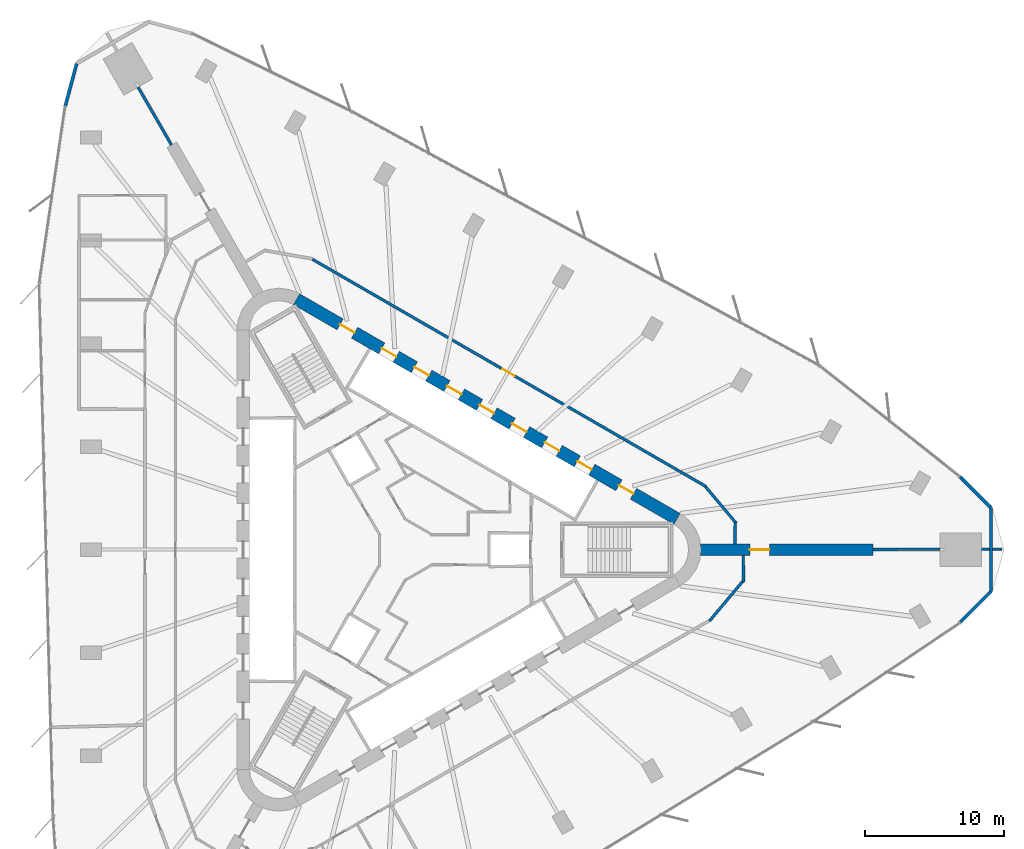
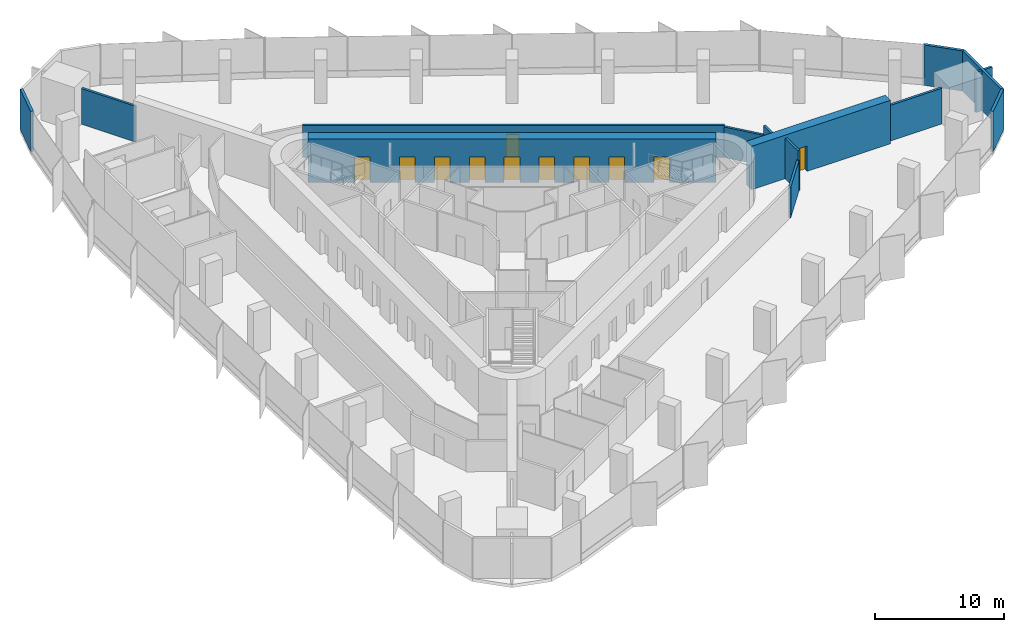
# One storey, part 12 of 14: 15 walls, 11 doors, 11 openings.
"""IFC4 building model written with IfcOpenShell, lengths in metres."""

from ifc_helpers import new_model, si_unit, direction, frame, frame_2d, origin, place, context, subcontext, project, spatial, rectangle, extrude, material, layer, layer_set, type_object, element, fill, save


model = new_model("IFC4")

# Units and contexts
model_context = context("Model", 3, precision=1e-05, world=origin(), true_north=direction((0.0, 1.0)))
body_context = subcontext(model_context, "Body", "Model", "MODEL_VIEW")
ifc_project = project(units=[si_unit("LENGTHUNIT", "METRE"), si_unit("AREAUNIT", "SQUARE_METRE"), si_unit("VOLUMEUNIT", "CUBIC_METRE"), si_unit("PLANEANGLEUNIT", "RADIAN"), si_unit("MASSUNIT", "GRAM", prefix="KILO")], contexts=[model_context])

# Site, building, storey
site_placement = place(None, origin())
site = spatial("IfcSite", under=ifc_project, at=site_placement, CompositionType="ELEMENT")
building_placement = place(site_placement, origin())
building = spatial("IfcBuilding", under=site, at=building_placement, Name="Tanit Gate Tower", CompositionType="ELEMENT")
storey_placement = place(building_placement, frame((0.0, 0.0, 143.89990234375)))
storey = spatial("IfcBuildingStorey", under=building, at=storey_placement, Name="L31", CompositionType="ELEMENT", Elevation=143.89990234375)

# Wall, opening, door
ifc_material_1 = material(Name="Concrete C60/75", Category="concrete")
ifc_layer_1 = layer(ifc_material_1, 0.800048828125)
ifc_layer_set_1 = layer_set([ifc_layer_1], Name="BUTTRESS FIN 800 C60/75")
wall_type_1 = type_object("IfcWallType", Name="BUTTRESS FIN 800 C60/75", PredefinedType="SHEAR", material=ifc_layer_set_1)
wall_1_placement = place(storey_placement, frame((21.14990234375, 0.0, 0.0), z_axis=(0.0, 0.0, 1.0), x_axis=(1.0, 0.0, 0.0)))
wall_1 = element("IfcWall", 1, at=wall_1_placement, inside=storey, type_object=wall_type_1, Name="BUTTRESS FIN", PredefinedType="SHEAR", context=body_context, shape_type="SweptSolid", body=[
    extrude(rectangle(XDim=12.3837890625, YDim=0.800048828125, at=frame_2d((6.19189453125, 0.0))), origin(), (0.0, 0.0, 1.0), 4.10009765625),
])
opening_1_placement = place(wall_1_placement, frame((3.550048828125, 0.0, 0.0)))
opening_1 = element("IfcOpeningElement", 2, at=opening_1_placement, cuts=wall_1, Name="Opening P14-S08-F-E-1", PredefinedType="OPENING", context=body_context, shape_type="SweptSolid", body=[
    extrude(rectangle(XDim=1.39990234375, YDim=2.39990234375, at=frame_2d((0.699951171875, 1.199951171875))), frame((0.0, 0.41015625, 0.0), z_axis=(0.0, -1.0, 0.0), x_axis=(1.0, 0.0, 0.0)), (0.0, 0.0, 1.0), 0.820068359375),
])
ifc_material_2 = material(Name="Timber door leaf", Category="wood")
door_type_1 = type_object("IfcDoorType", Name="INT-DOOR-FIN-PAIR-1400", OperationType="NOTDEFINED", PredefinedType="NOTDEFINED", material=ifc_material_2)
door_1_placement = place(opening_1_placement, origin())
door_1 = element("IfcDoor", 3, at=door_1_placement, inside=storey, type_object=door_type_1, Name="Door P14-S08-F-E-1", OperationType="DOUBLE_DOOR_SINGLE_SWING", OverallHeight=2.39990234375, OverallWidth=1.39990234375, PredefinedType="NOTDEFINED", context=body_context, shape_type="SweptSolid", body=[
    extrude(rectangle(XDim=1.39990234375, YDim=2.39990234375, at=frame_2d((0.699951171875, 1.199951171875))), frame((0.0, 0.02490234375, 0.0), z_axis=(0.0, -1.0, 0.0), x_axis=(1.0, 0.0, 0.0)), (0.0, 0.0, 1.0), 0.050048828125),
])
fill(opening_1, door_1)

# Wall, openings, doors
ifc_material_3 = material(Name="Concrete C60/75", Category="concrete")
ifc_layer_2 = layer(ifc_material_3, 0.89990234375)
ifc_layer_set_2 = layer_set([ifc_layer_2], Name="CORE WALL 900 C60/75")
wall_type_2 = type_object("IfcWallType", Name="CORE WALL 900 C60/75", PredefinedType="SHEAR", material=ifc_layer_set_2)
wall_2_placement = place(storey_placement, frame((19.47509765625, 2.20849609375, 0.0), z_axis=(0.0, 0.0, 1.0), x_axis=(-0.866028369851, 0.499994862586, 0.0)))
wall_2 = element("IfcWall", 4, at=wall_2_placement, inside=storey, type_object=wall_type_2, Name="CORE WALL", PredefinedType="SHEAR", context=body_context, shape_type="SweptSolid", body=[
    extrude(rectangle(XDim=31.523193359375, YDim=0.89990234375, at=frame_2d((15.76171875, 0.0))), origin(), (0.0, 0.0, 1.0), 4.10009765625),
])
opening_2_placement = place(wall_2_placement, frame((7.0615234375, 0.0, 0.0)))
opening_2 = element("IfcOpeningElement", 5, at=opening_2_placement, cuts=wall_2, Name="Opening LDLL8-S08", PredefinedType="OPENING", context=body_context, shape_type="SweptSolid", body=[
    extrude(rectangle(XDim=1.199951171875, YDim=2.39990234375, at=frame_2d((0.60009765625, 1.199951171875))), frame((0.0, 0.4599609375, 0.0), z_axis=(0.0, -1.0, 0.0), x_axis=(1.0, 0.0, 0.0)), (0.0, 0.0, 1.0), 0.919921875),
])
opening_3_placement = place(wall_2_placement, frame((9.76171875, 0.0, 0.0)))
opening_3 = element("IfcOpeningElement", 6, at=opening_3_placement, cuts=wall_2, Name="Opening LDLL9-S08", PredefinedType="OPENING", context=body_context, shape_type="SweptSolid", body=[
    extrude(rectangle(XDim=1.199951171875, YDim=2.39990234375, at=frame_2d((0.60009765625, 1.199951171875))), frame((0.0, 0.4599609375, 0.0), z_axis=(0.0, -1.0, 0.0), x_axis=(1.0, 0.0, 0.0)), (0.0, 0.0, 1.0), 0.919921875),
])
opening_4_placement = place(wall_2_placement, frame((12.461669921875, 0.0, 0.0)))
opening_4 = element("IfcOpeningElement", 7, at=opening_4_placement, cuts=wall_2, Name="Opening LDLL10-S08", PredefinedType="OPENING", context=body_context, shape_type="SweptSolid", body=[
    extrude(rectangle(XDim=1.199951171875, YDim=2.39990234375, at=frame_2d((0.60009765625, 1.199951171875))), frame((0.0, 0.4599609375, 0.0), z_axis=(0.0, -1.0, 0.0), x_axis=(1.0, 0.0, 0.0)), (0.0, 0.0, 1.0), 0.919921875),
])
opening_5_placement = place(wall_2_placement, frame((15.16162109375, 0.0, 0.0)))
opening_5 = element("IfcOpeningElement", 8, at=opening_5_placement, cuts=wall_2, Name="Opening LDSL1-S08", PredefinedType="OPENING", context=body_context, shape_type="SweptSolid", body=[
    extrude(rectangle(XDim=1.199951171875, YDim=2.39990234375, at=frame_2d((0.60009765625, 1.199951171875))), frame((0.0, 0.4599609375, 0.0), z_axis=(0.0, -1.0, 0.0), x_axis=(1.0, 0.0, 0.0)), (0.0, 0.0, 1.0), 0.919921875),
])
opening_6_placement = place(wall_2_placement, frame((17.861572265625, 0.0, 0.0)))
opening_6 = element("IfcOpeningElement", 9, at=opening_6_placement, cuts=wall_2, Name="Opening LDSL2-S08", PredefinedType="OPENING", context=body_context, shape_type="SweptSolid", body=[
    extrude(rectangle(XDim=1.199951171875, YDim=2.39990234375, at=frame_2d((0.60009765625, 1.199951171875))), frame((0.0, 0.4599609375, 0.0), z_axis=(0.0, -1.0, 0.0), x_axis=(1.0, 0.0, 0.0)), (0.0, 0.0, 1.0), 0.919921875),
])
opening_7_placement = place(wall_2_placement, frame((20.5615234375, 0.0, 0.0)))
opening_7 = element("IfcOpeningElement", 10, at=opening_7_placement, cuts=wall_2, Name="Opening LDSL3-S08", PredefinedType="OPENING", context=body_context, shape_type="SweptSolid", body=[
    extrude(rectangle(XDim=1.199951171875, YDim=2.39990234375, at=frame_2d((0.60009765625, 1.199951171875))), frame((0.0, 0.4599609375, 0.0), z_axis=(0.0, -1.0, 0.0), x_axis=(1.0, 0.0, 0.0)), (0.0, 0.0, 1.0), 0.919921875),
])
opening_8_placement = place(wall_2_placement, frame((23.26171875, 0.0, 0.0)))
opening_8 = element("IfcOpeningElement", 11, at=opening_8_placement, cuts=wall_2, Name="Opening LDSL4-S08", PredefinedType="OPENING", context=body_context, shape_type="SweptSolid", body=[
    extrude(rectangle(XDim=1.199951171875, YDim=2.39990234375, at=frame_2d((0.60009765625, 1.199951171875))), frame((0.0, 0.4599609375, 0.0), z_axis=(0.0, -1.0, 0.0), x_axis=(1.0, 0.0, 0.0)), (0.0, 0.0, 1.0), 0.919921875),
])
opening_9_placement = place(wall_2_placement, frame((3.611572265625, 0.0, 0.0)))
opening_9 = element("IfcOpeningElement", 12, at=opening_9_placement, cuts=wall_2, Name="Opening F12-S08-FL1", PredefinedType="OPENING", context=body_context, shape_type="SweptSolid", body=[
    extrude(rectangle(XDim=1.199951171875, YDim=2.39990234375, at=frame_2d((0.60009765625, 1.199951171875))), frame((0.0, 0.4599609375, 0.0), z_axis=(0.0, -1.0, 0.0), x_axis=(1.0, 0.0, 0.0)), (0.0, 0.0, 1.0), 0.919921875),
])
opening_10_placement = place(wall_2_placement, frame((26.711669921875, 0.0, 0.0)))
opening_10 = element("IfcOpeningElement", 13, at=opening_10_placement, cuts=wall_2, Name="Opening F12-S08-S2", PredefinedType="OPENING", context=body_context, shape_type="SweptSolid", body=[
    extrude(rectangle(XDim=1.199951171875, YDim=2.39990234375, at=frame_2d((0.60009765625, 1.199951171875))), frame((0.0, 0.4599609375, 0.0), z_axis=(0.0, -1.0, 0.0), x_axis=(1.0, 0.0, 0.0)), (0.0, 0.0, 1.0), 0.919921875),
])
ifc_material_4 = material(Name="Fire-rated steel door leaf", Category="steel")
door_type_2 = type_object("IfcDoorType", Name="INT-DOOR-FIRE-LOBBY-1200", OperationType="NOTDEFINED", PredefinedType="USERDEFINED", material=ifc_material_4)
door_2_placement = place(opening_9_placement, origin())
door_2 = element("IfcDoor", 14, at=door_2_placement, inside=storey, type_object=door_type_2, Name="Door F12-S08-FL1", ObjectType="FIRE DOOR", OperationType="SINGLE_SWING_RIGHT", OverallHeight=2.39990234375, OverallWidth=1.199951171875, PredefinedType="USERDEFINED", context=body_context, shape_type="SweptSolid", body=[
    extrude(rectangle(XDim=1.199951171875, YDim=2.39990234375, at=frame_2d((0.60009765625, 1.199951171875))), frame((0.0, 0.02490234375, 0.0), z_axis=(0.0, -1.0, 0.0), x_axis=(1.0, 0.0, 0.0)), (0.0, 0.0, 1.0), 0.050048828125),
])
fill(opening_9, door_2)
door_3_placement = place(opening_10_placement, origin())
door_3 = element("IfcDoor", 15, at=door_3_placement, inside=storey, type_object=door_type_2, Name="Door F12-S08-S2", ObjectType="FIRE DOOR", OperationType="SINGLE_SWING_LEFT", OverallHeight=2.39990234375, OverallWidth=1.199951171875, PredefinedType="USERDEFINED", context=body_context, shape_type="SweptSolid", body=[
    extrude(rectangle(XDim=1.199951171875, YDim=2.39990234375, at=frame_2d((0.60009765625, 1.199951171875))), frame((0.0, 0.02490234375, 0.0), z_axis=(0.0, -1.0, 0.0), x_axis=(1.0, 0.0, 0.0)), (0.0, 0.0, 1.0), 0.050048828125),
])
fill(opening_10, door_3)
ifc_material_5 = material(Name="Stainless steel sliding door leaf", Category="steel")
door_type_3 = type_object("IfcDoorType", Name="INT-DOOR-LANDING-1200", OperationType="NOTDEFINED", PredefinedType="USERDEFINED", material=ifc_material_5)
door_4_placement = place(opening_2_placement, origin())
door_4 = element("IfcDoor", 16, at=door_4_placement, inside=storey, type_object=door_type_3, Name="Door LDLL8-S08", ObjectType="LANDING DOOR", OperationType="SLIDING_TO_LEFT", OverallHeight=2.39990234375, OverallWidth=1.199951171875, PredefinedType="USERDEFINED", context=body_context, shape_type="SweptSolid", body=[
    extrude(rectangle(XDim=1.199951171875, YDim=2.39990234375, at=frame_2d((0.60009765625, 1.199951171875))), frame((0.0, 0.02490234375, 0.0), z_axis=(0.0, -1.0, 0.0), x_axis=(1.0, 0.0, 0.0)), (0.0, 0.0, 1.0), 0.050048828125),
])
fill(opening_2, door_4)
door_5_placement = place(opening_3_placement, origin())
door_5 = element("IfcDoor", 17, at=door_5_placement, inside=storey, type_object=door_type_3, Name="Door LDLL9-S08", ObjectType="LANDING DOOR", OperationType="SLIDING_TO_LEFT", OverallHeight=2.39990234375, OverallWidth=1.199951171875, PredefinedType="USERDEFINED", context=body_context, shape_type="SweptSolid", body=[
    extrude(rectangle(XDim=1.199951171875, YDim=2.39990234375, at=frame_2d((0.60009765625, 1.199951171875))), frame((0.0, 0.02490234375, 0.0), z_axis=(0.0, -1.0, 0.0), x_axis=(1.0, 0.0, 0.0)), (0.0, 0.0, 1.0), 0.050048828125),
])
fill(opening_3, door_5)
door_6_placement = place(opening_4_placement, origin())
door_6 = element("IfcDoor", 18, at=door_6_placement, inside=storey, type_object=door_type_3, Name="Door LDLL10-S08", ObjectType="LANDING DOOR", OperationType="SLIDING_TO_LEFT", OverallHeight=2.39990234375, OverallWidth=1.199951171875, PredefinedType="USERDEFINED", context=body_context, shape_type="SweptSolid", body=[
    extrude(rectangle(XDim=1.199951171875, YDim=2.39990234375, at=frame_2d((0.60009765625, 1.199951171875))), frame((0.0, 0.02490234375, 0.0), z_axis=(0.0, -1.0, 0.0), x_axis=(1.0, 0.0, 0.0)), (0.0, 0.0, 1.0), 0.050048828125),
])
fill(opening_4, door_6)
door_7_placement = place(opening_5_placement, origin())
door_7 = element("IfcDoor", 19, at=door_7_placement, inside=storey, type_object=door_type_3, Name="Door LDSL1-S08", ObjectType="LANDING DOOR", OperationType="SLIDING_TO_LEFT", OverallHeight=2.39990234375, OverallWidth=1.199951171875, PredefinedType="USERDEFINED", context=body_context, shape_type="SweptSolid", body=[
    extrude(rectangle(XDim=1.199951171875, YDim=2.39990234375, at=frame_2d((0.60009765625, 1.199951171875))), frame((0.0, 0.02490234375, 0.0), z_axis=(0.0, -1.0, 0.0), x_axis=(1.0, 0.0, 0.0)), (0.0, 0.0, 1.0), 0.050048828125),
])
fill(opening_5, door_7)
door_8_placement = place(opening_6_placement, origin())
door_8 = element("IfcDoor", 20, at=door_8_placement, inside=storey, type_object=door_type_3, Name="Door LDSL2-S08", ObjectType="LANDING DOOR", OperationType="SLIDING_TO_LEFT", OverallHeight=2.39990234375, OverallWidth=1.199951171875, PredefinedType="USERDEFINED", context=body_context, shape_type="SweptSolid", body=[
    extrude(rectangle(XDim=1.199951171875, YDim=2.39990234375, at=frame_2d((0.60009765625, 1.199951171875))), frame((0.0, 0.02490234375, 0.0), z_axis=(0.0, -1.0, 0.0), x_axis=(1.0, 0.0, 0.0)), (0.0, 0.0, 1.0), 0.050048828125),
])
fill(opening_6, door_8)
door_9_placement = place(opening_7_placement, origin())
door_9 = element("IfcDoor", 21, at=door_9_placement, inside=storey, type_object=door_type_3, Name="Door LDSL3-S08", ObjectType="LANDING DOOR", OperationType="SLIDING_TO_LEFT", OverallHeight=2.39990234375, OverallWidth=1.199951171875, PredefinedType="USERDEFINED", context=body_context, shape_type="SweptSolid", body=[
    extrude(rectangle(XDim=1.199951171875, YDim=2.39990234375, at=frame_2d((0.60009765625, 1.199951171875))), frame((0.0, 0.02490234375, 0.0), z_axis=(0.0, -1.0, 0.0), x_axis=(1.0, 0.0, 0.0)), (0.0, 0.0, 1.0), 0.050048828125),
])
fill(opening_7, door_9)
door_10_placement = place(opening_8_placement, origin())
door_10 = element("IfcDoor", 22, at=door_10_placement, inside=storey, type_object=door_type_3, Name="Door LDSL4-S08", ObjectType="LANDING DOOR", OperationType="SLIDING_TO_LEFT", OverallHeight=2.39990234375, OverallWidth=1.199951171875, PredefinedType="USERDEFINED", context=body_context, shape_type="SweptSolid", body=[
    extrude(rectangle(XDim=1.199951171875, YDim=2.39990234375, at=frame_2d((0.60009765625, 1.199951171875))), frame((0.0, 0.02490234375, 0.0), z_axis=(0.0, -1.0, 0.0), x_axis=(1.0, 0.0, 0.0)), (0.0, 0.0, 1.0), 0.050048828125),
])
fill(opening_8, door_10)

# Walls
ifc_material_6 = material(Name="Concrete C30/37 with bronze anodised aluminium cladding", Category="concrete")
ifc_layer_3 = layer(ifc_material_6, 0.239990234375)
ifc_layer_set_3 = layer_set([ifc_layer_3], Name="Facade wall bronze clad 240")
wall_type_3 = type_object("IfcWallType", Name="Facade wall bronze clad 240", PredefinedType="SOLIDWALL", material=ifc_layer_set_3)
wall_3_placement = place(storey_placement, frame((-23.60302734375, 34.87109375, 0.0), z_axis=(0.0, 0.0, 1.0), x_axis=(-0.258820386593, -0.965925466837, 0.0)))
element("IfcWall", 23, at=wall_3_placement, inside=storey, type_object=wall_type_3, Name="Bronze-clad facade wall L31 NW.arc3", PredefinedType="SOLIDWALL", context=body_context, shape_type="SweptSolid", body=[
    extrude(rectangle(XDim=3.136474609375, YDim=0.239990234375, at=frame_2d((1.568359375, 0.0))), origin(), (0.0, 0.0, 1.0), 3.800048828125),
])
wall_4_placement = place(storey_placement, frame((39.7861328125, -5.2197265625, 0.0), z_axis=(0.0, 0.0, 1.0), x_axis=(0.707106781187, 0.707106781187, 0.0)))
element("IfcWall", 24, at=wall_4_placement, inside=storey, type_object=wall_type_3, Name="Bronze-clad facade wall L31 E.arc1", PredefinedType="SOLIDWALL", context=body_context, shape_type="SweptSolid", body=[
    extrude(rectangle(XDim=3.1318359375, YDim=0.239990234375, at=frame_2d((1.56591796875, 0.0))), origin(), (0.0, 0.0, 1.0), 3.800048828125),
])
wall_5_placement = place(storey_placement, frame((42.000732421875, -3.005126953125, 0.0), z_axis=(0.0, 0.0, 1.0), x_axis=(0.0, 1.0, 0.0)))
element("IfcWall", 25, at=wall_5_placement, inside=storey, type_object=wall_type_3, Name="Bronze-clad facade wall L31 E.arc2", PredefinedType="SOLIDWALL", context=body_context, shape_type="SweptSolid", body=[
    extrude(rectangle(XDim=6.01025390625, YDim=0.239990234375, at=frame_2d((3.005126953125, 0.0))), origin(), (0.0, 0.0, 1.0), 3.800048828125),
])
wall_6_placement = place(storey_placement, frame((42.000732421875, 3.005126953125, 0.0), z_axis=(0.0, 0.0, 1.0), x_axis=(-0.707067861805, 0.707145698426, 0.0)))
element("IfcWall", 26, at=wall_6_placement, inside=storey, type_object=wall_type_3, Name="Bronze-clad facade wall L31 E.arc3", PredefinedType="SOLIDWALL", context=body_context, shape_type="SweptSolid", body=[
    extrude(rectangle(XDim=3.136474609375, YDim=0.239990234375, at=frame_2d((1.568359375, 0.0))), origin(), (0.0, 0.0, 1.0), 3.800048828125),
])

# Wall, opening, door
ifc_material_7 = material(Name="Fire-rated gypsum board partition")
ifc_layer_4 = layer(ifc_material_7, 0.199951171875)
ifc_layer_set_4 = layer_set([ifc_layer_4], Name="INT-WALL-COMPARTMENT")
wall_type_4 = type_object("IfcWallType", Name="INT-WALL-COMPARTMENT", PredefinedType="PARTITIONING", material=ifc_layer_set_4)
wall_7_placement = place(storey_placement, frame((21.55224609375, 4.53076171875, 0.0), z_axis=(0.0, 0.0, 1.0), x_axis=(-0.866023703603, 0.500002944789, 0.0)))
wall_7 = element("IfcWall", 27, at=wall_7_placement, inside=storey, type_object=wall_type_4, Name="Wall Compartment W103", PredefinedType="PARTITIONING", context=body_context, shape_type="SweptSolid", body=[
    extrude(rectangle(XDim=32.598876953125, YDim=0.199951171875, at=frame_2d((16.29931640625, 0.0))), origin(), (0.0, 0.0, 1.0), 2.97998046875),
])
opening_11_placement = place(wall_7_placement, frame((15.849609375, 0.0, 0.0)))
opening_11 = element("IfcOpeningElement", 28, at=opening_11_placement, cuts=wall_7, Name="Opening F10-S08-27", PredefinedType="OPENING", context=body_context, shape_type="SweptSolid", body=[
    extrude(rectangle(XDim=1.0, YDim=2.10009765625, at=frame_2d((0.5, 1.050048828125))), frame((0.0, 0.10986328125, 0.0), z_axis=(0.0, -1.0, 0.0), x_axis=(1.0, 0.0, 0.0)), (0.0, 0.0, 1.0), 0.219970703125),
])
ifc_material_8 = material(Name="Fire-rated steel door leaf", Category="steel")
door_type_4 = type_object("IfcDoorType", Name="INT-DOOR-FIRE-1000", OperationType="NOTDEFINED", PredefinedType="USERDEFINED", material=ifc_material_8)
door_11_placement = place(opening_11_placement, origin())
door_11 = element("IfcDoor", 29, at=door_11_placement, inside=storey, type_object=door_type_4, Name="Door F10-S08-27", ObjectType="FIRE DOOR", OperationType="SINGLE_SWING_RIGHT", OverallHeight=2.10009765625, OverallWidth=1.0, PredefinedType="USERDEFINED", context=body_context, shape_type="SweptSolid", body=[
    extrude(rectangle(XDim=1.0, YDim=2.10009765625, at=frame_2d((0.5, 1.050048828125))), frame((0.0, 0.02490234375, 0.0), z_axis=(0.0, -1.0, 0.0), x_axis=(1.0, 0.0, 0.0)), (0.0, 0.0, 1.0), 0.050048828125),
])
fill(opening_11, door_11)

# Walls
wall_8_placement = place(storey_placement, frame((23.720458984375, 1.893798828125, 0.0), z_axis=(0.0, 0.0, 1.0), x_axis=(-0.642802187783, 0.766032210407, 0.0)))
element("IfcWall", 30, at=wall_8_placement, inside=storey, type_object=wall_type_4, Name="Wall Compartment W104", PredefinedType="PARTITIONING", context=body_context, shape_type="SweptSolid", body=[
    extrude(rectangle(XDim=3.40771484375, YDim=0.199951171875, at=frame_2d((1.703857421875, 0.0))), origin(), (0.0, 0.0, 1.0), 2.880126953125),
])
wall_9_placement = place(storey_placement, frame((23.622314453125, 0.39990234375, 0.0), z_axis=(0.0, 0.0, 1.0), x_axis=(0.015125657972, 0.999885600692, 0.0)))
element("IfcWall", 31, at=wall_9_placement, inside=storey, type_object=wall_type_4, Name="Wall Compartment W105", PredefinedType="PARTITIONING", context=body_context, shape_type="SweptSolid", body=[
    extrude(rectangle(XDim=1.533447265625, YDim=0.199951171875, at=frame_2d((0.7666015625, 0.0))), origin(), (0.0, 0.0, 1.0), 3.800048828125),
])
wall_10_placement = place(storey_placement, frame((24.247802734375, -2.316650390625, 0.0), z_axis=(0.0, 0.0, 1.0), x_axis=(-0.013627571522, 0.999907140336, 0.0)))
element("IfcWall", 32, at=wall_10_placement, inside=storey, type_object=wall_type_4, Name="Wall Compartment W106", PredefinedType="PARTITIONING", context=body_context, shape_type="SweptSolid", body=[
    extrude(rectangle(XDim=1.9169921875, YDim=0.199951171875, at=frame_2d((0.95849609375, 0.0))), origin(), (0.0, 0.0, 1.0), 3.800048828125),
])
wall_11_placement = place(storey_placement, frame((21.79296875, -5.124267578125, 0.0), z_axis=(0.0, 0.0, 1.0), x_axis=(0.642787733653, 0.766044339098, 0.0)))
element("IfcWall", 33, at=wall_11_placement, inside=storey, type_object=wall_type_4, Name="Wall Compartment W107", PredefinedType="PARTITIONING", context=body_context, shape_type="SweptSolid", body=[
    extrude(rectangle(XDim=3.767333984375, YDim=0.199951171875, at=frame_2d((1.8837890625, 0.0))), origin(), (0.0, 0.0, 1.0), 2.880126953125),
])
wall_12_placement = place(storey_placement, frame((-19.191162109375, 33.179931640625, 0.0), z_axis=(0.0, 0.0, 1.0), x_axis=(0.500036743394, -0.866004188936, 0.0)))
element("IfcWall", 34, at=wall_12_placement, inside=storey, type_object=wall_type_4, Name="Wall Compartment W119", PredefinedType="PARTITIONING", context=body_context, shape_type="SweptSolid", body=[
    extrude(rectangle(XDim=4.796630859375, YDim=0.199951171875, at=frame_2d((2.3984375, 0.0))), origin(), (0.0, 0.0, 1.0), 3.3701171875),
])
wall_13_placement = place(storey_placement, frame((33.53369140625, 0.019775390625, 0.0), z_axis=(0.0, 0.0, 1.0), x_axis=(0.999997714828, 0.002137834878, 0.0)))
element("IfcWall", 35, at=wall_13_placement, inside=storey, type_object=wall_type_4, Name="Wall Compartment W128", PredefinedType="PARTITIONING", context=body_context, shape_type="SweptSolid", body=[
    extrude(rectangle(XDim=4.79638671875, YDim=0.199951171875, at=frame_2d((2.398193359375, 0.0))), origin(), (0.0, 0.0, 1.0), 3.3701171875),
])
wall_14_placement = place(storey_placement, frame((41.330078125, 0.030029296875, 0.0), z_axis=(0.0, 0.0, 1.0), x_axis=(1.0, 0.0, 0.0)))
element("IfcWall", 36, at=wall_14_placement, inside=storey, type_object=wall_type_4, Name="Wall Compartment W129", PredefinedType="PARTITIONING", context=body_context, shape_type="SweptSolid", body=[
    extrude(rectangle(XDim=0.550537109375, YDim=0.199951171875, at=frame_2d((0.275390625, 0.0))), origin(), (0.0, 0.0, 1.0), 3.800048828125),
])
wall_15_placement = place(storey_placement, frame((42.12060546875, 0.030029296875, 0.0), z_axis=(0.0, 0.0, 1.0), x_axis=(1.0, 0.0, 0.0)))
element("IfcWall", 37, at=wall_15_placement, inside=storey, type_object=wall_type_4, Name="Wall Compartment W129x1", PredefinedType="PARTITIONING", context=body_context, shape_type="SweptSolid", body=[
    extrude(rectangle(XDim=0.67724609375, YDim=0.199951171875, at=frame_2d((0.338623046875, 0.0))), origin(), (0.0, 0.0, 1.0), 3.800048828125),
])

save(model, "model.ifc")
